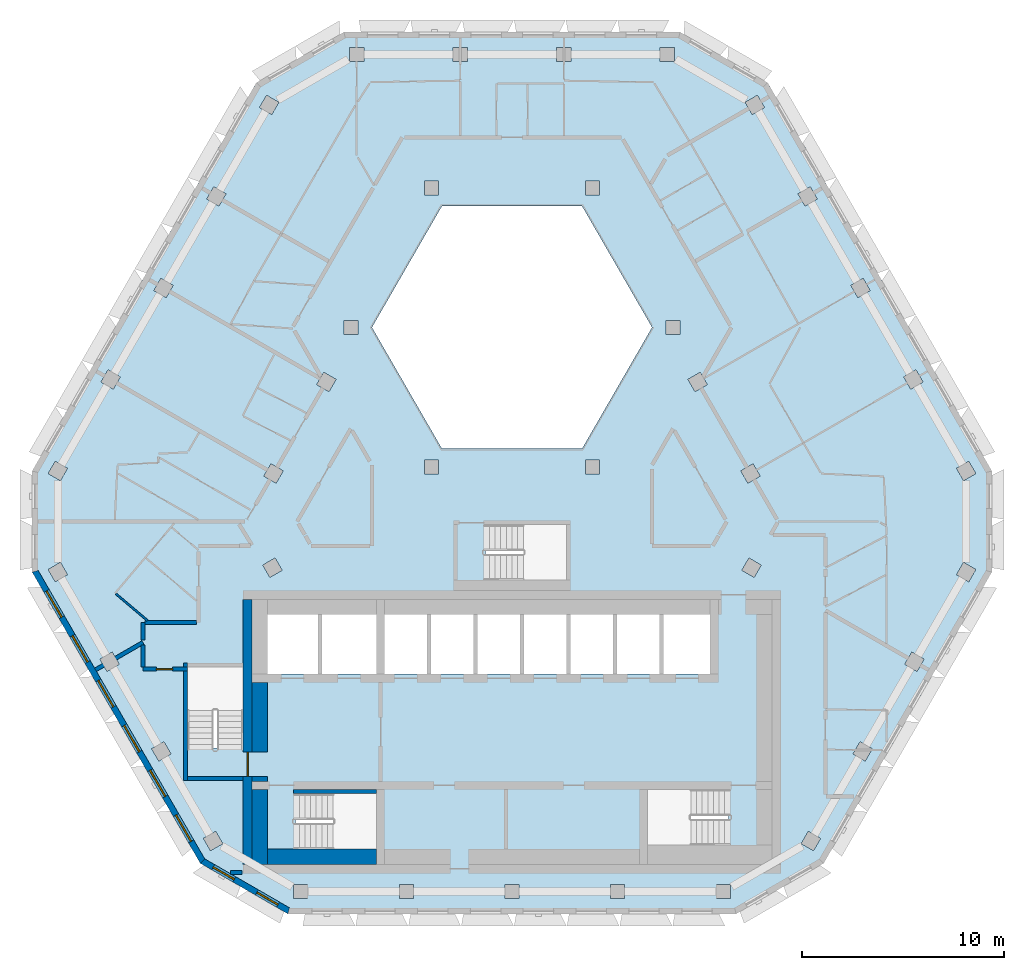
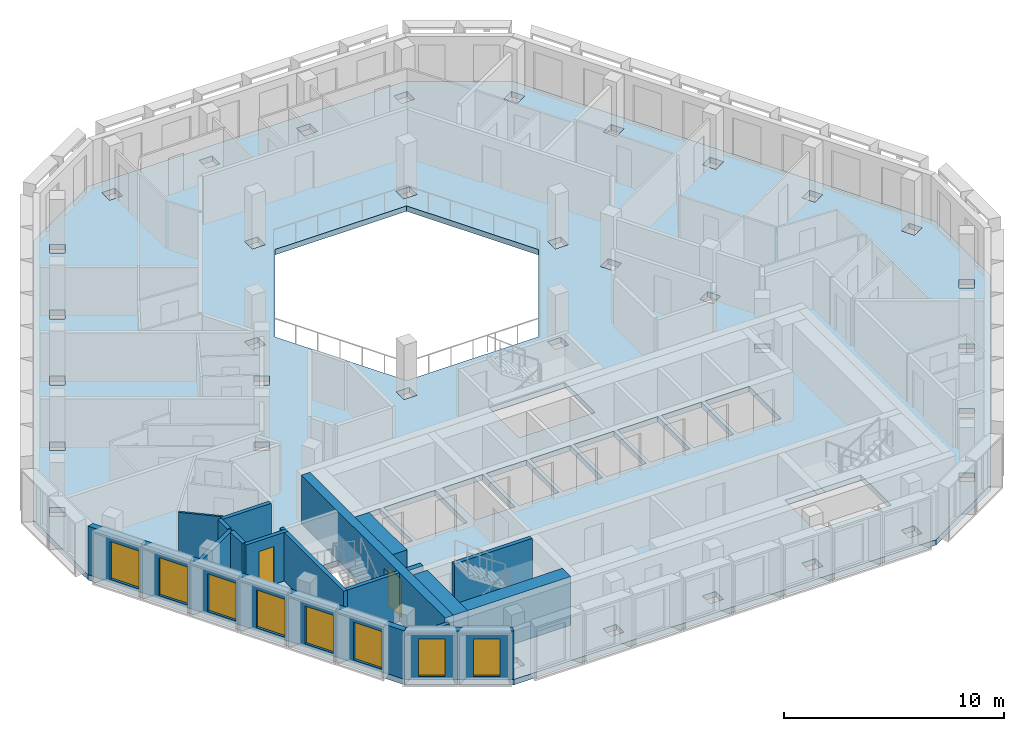
# One storey, part 2 of 16: 17 walls, 8 windows, 2 doors, 1 slab, 10 openings.
"""IFC4 building model written with IfcOpenShell, lengths in metres."""

from ifc_helpers import new_model, si_unit, direction, frame, frame_2d, origin, place, context, subcontext, project, spatial, polyline, rectangle, outline, extrude, material, layer, layer_set, type_object, element, fill, save


model = new_model("IFC4")

# Units and contexts
model_context = context("Model", 3, precision=1e-05, world=origin(), true_north=direction((0.0, 1.0)))
body_context = subcontext(model_context, "Body", "Model", "MODEL_VIEW")
ifc_project = project(units=[si_unit("LENGTHUNIT", "METRE"), si_unit("AREAUNIT", "SQUARE_METRE"), si_unit("VOLUMEUNIT", "CUBIC_METRE"), si_unit("PLANEANGLEUNIT", "RADIAN"), si_unit("MASSUNIT", "GRAM", prefix="KILO")], contexts=[model_context])

# Site, building, storey
site_placement = place(None, origin())
site = spatial("IfcSite", under=ifc_project, at=site_placement, CompositionType="ELEMENT")
building_placement = place(site_placement, origin())
building = spatial("IfcBuilding", under=site, at=building_placement, Name="Beryl Residences", CompositionType="ELEMENT")
storey_placement = place(building_placement, frame((0.0, 0.0, 208.800048828125)))
storey = spatial("IfcBuildingStorey", under=building, at=storey_placement, Name="L64", CompositionType="ELEMENT", Elevation=208.800048828125)

# Slab
ifc_material_1 = material(Name="Concrete C40/50", Category="concrete")
ifc_layer_1 = layer(ifc_material_1, 0.300048828125)
ifc_layer_set_1 = layer_set([ifc_layer_1], Name="SL7 PT floor slab 300 mm C40/50")
slab_type = type_object("IfcSlabType", Name="SL7 PT floor slab 300 mm C40/50", PredefinedType="FLOOR", material=ifc_layer_set_1)
slab_placement = place(storey_placement, frame((0.0, 0.0, -0.300048828125)))
element("IfcSlab", 1, at=slab_placement, inside=storey, type_object=slab_type, Name="L64 slab 1", PredefinedType="FLOOR", context=body_context, shape_type="SweptSolid", body=[
    extrude(outline(polyline([(23.72900390625, -4.10009765625), (15.4150390625, -18.5), (11.0849609375, -21.0), (-11.0849609375, -21.0), (-15.4150390625, -18.5), (-23.72900390625, -4.10009765625), (-23.72900390625, 0.89990234375), (-12.64404296875, 20.10009765625), (-8.31396484375, 22.60009765625), (8.31396484375, 22.60009765625), (12.64404296875, 20.10009765625), (23.72900390625, 0.89990234375), (23.72900390625, -4.10009765625)]), holes=[polyline([(21.97998046875, 1.028076171875), (22.330078125, 0.422119140625), (22.93603515625, 0.77197265625), (22.5859375, 1.3779296875), (21.97998046875, 1.028076171875)]), polyline([(21.97998046875, -4.22900390625), (22.5859375, -4.5791015625), (22.93603515625, -3.972900390625), (22.330078125, -3.623046875), (21.97998046875, -4.22900390625)]), polyline([(19.77099609375, -8.055908203125), (19.4208984375, -8.662109375), (20.027099609375, -9.011962890625), (20.376953125, -8.406005859375), (19.77099609375, -8.055908203125)]), polyline([(19.367919921875, 5.552978515625), (19.718017578125, 4.947021484375), (20.323974609375, 5.297119140625), (19.97412109375, 5.903076171875), (19.367919921875, 5.552978515625)]), polyline([(17.2109375, -12.489013671875), (16.861083984375, -13.094970703125), (17.467041015625, -13.445068359375), (17.81689453125, -12.839111328125), (17.2109375, -12.489013671875)]), polyline([(17.361083984375, 10.427978515625), (16.7548828125, 10.077880859375), (17.10498046875, 9.471923828125), (17.7109375, 9.822021484375), (17.361083984375, 10.427978515625)]), polyline([(15.258056640625, -17.27197265625), (14.652099609375, -16.922119140625), (14.302001953125, -17.528076171875), (14.907958984375, -17.8779296875), (15.258056640625, -17.27197265625)]), polyline([(14.14306640625, 14.60302734375), (14.492919921875, 13.9970703125), (15.09912109375, 14.346923828125), (14.7490234375, 14.952880859375), (14.14306640625, 14.60302734375)]), polyline([(11.531005859375, 19.1279296875), (11.881103515625, 18.52197265625), (12.487060546875, 18.8720703125), (12.136962890625, 19.47802734375), (11.531005859375, 19.1279296875)]), polyline([(11.717041015625, -3.406005859375), (11.366943359375, -4.011962890625), (11.972900390625, -4.362060546875), (12.322998046875, -3.756103515625), (11.717041015625, -3.406005859375)]), polyline([(11.919921875, 1.2529296875), (11.31396484375, 0.903076171875), (11.6640625, 0.297119140625), (12.27001953125, 0.64697265625), (11.919921875, 1.2529296875)]), polyline([(10.800048828125, -19.550048828125), (10.10009765625, -19.550048828125), (10.10009765625, -20.25), (10.800048828125, -20.25), (10.800048828125, -19.550048828125)]), polyline([(6.699951171875, -14.85009765625), (6.699951171875, -17.60009765625), (10.699951171875, -17.60009765625), (10.699951171875, -14.85009765625), (6.699951171875, -14.85009765625)]), polyline([(7.5, -9.14990234375), (9.800048828125, -9.14990234375), (9.800048828125, -6.199951171875), (7.5, -6.199951171875), (7.5, -9.14990234375)]), polyline([(8.700927734375, 5.427978515625), (9.051025390625, 4.822021484375), (9.656982421875, 5.172119140625), (9.306884765625, 5.778076171875), (8.700927734375, 5.427978515625)]), polyline([(8.31689453125, 7.64990234375), (8.31689453125, 8.35009765625), (7.616943359375, 8.35009765625), (7.616943359375, 7.64990234375), (8.31689453125, 7.64990234375)]), polyline([(7.3291015625, 21.85009765625), (7.3291015625, 21.14990234375), (8.029052734375, 21.14990234375), (8.029052734375, 21.85009765625), (7.3291015625, 21.85009765625)]), polyline([(5.199951171875, -9.14990234375), (7.300048828125, -9.14990234375), (7.300048828125, -6.199951171875), (5.199951171875, -6.199951171875), (5.199951171875, -9.14990234375)]), polyline([(3.464111328125, 14.0), (-3.464111328125, 14.0), (-6.92822265625, 8.0), (-3.464111328125, 2.0), (3.464111328125, 2.0), (6.92822265625, 8.0), (3.464111328125, 14.0)]), polyline([(4.875, -19.550048828125), (4.875, -20.25), (5.574951171875, -20.25), (5.574951171875, -19.550048828125), (4.875, -19.550048828125)]), polyline([(2.89990234375, -9.14990234375), (5.0, -9.14990234375), (5.0, -6.199951171875), (2.89990234375, -6.199951171875), (2.89990234375, -9.14990234375)]), polyline([(4.333984375, 15.25), (3.634033203125, 15.25), (3.634033203125, 14.550048828125), (4.333984375, 14.550048828125), (4.333984375, 15.25)]), polyline([(4.333984375, 1.449951171875), (3.634033203125, 1.449951171875), (3.634033203125, 0.75), (4.333984375, 0.75), (4.333984375, 1.449951171875)]), polyline([(2.2099609375, 21.85009765625), (2.2099609375, 21.14990234375), (2.909912109375, 21.14990234375), (2.909912109375, 21.85009765625), (2.2099609375, 21.85009765625)]), polyline([(2.699951171875, -9.14990234375), (2.699951171875, -6.199951171875), (0.60009765625, -6.199951171875), (0.60009765625, -9.14990234375), (2.699951171875, -9.14990234375)]), polyline([(2.699951171875, -4.5), (2.699951171875, -1.75), (-1.300048828125, -1.75), (-1.300048828125, -4.5), (2.699951171875, -4.5)]), polyline([(0.39990234375, -6.199951171875), (-1.699951171875, -6.199951171875), (-1.699951171875, -9.14990234375), (0.39990234375, -9.14990234375), (0.39990234375, -6.199951171875)]), polyline([(0.35009765625, -19.550048828125), (-0.35009765625, -19.550048828125), (-0.35009765625, -20.25), (0.35009765625, -20.25), (0.35009765625, -19.550048828125)]), polyline([(-4.0, -9.14990234375), (-1.89990234375, -9.14990234375), (-1.89990234375, -6.199951171875), (-4.0, -6.199951171875), (-4.0, -9.14990234375)]), polyline([(-2.908935546875, 21.14990234375), (-2.208984375, 21.14990234375), (-2.208984375, 21.85009765625), (-2.908935546875, 21.85009765625), (-2.908935546875, 21.14990234375)]), polyline([(-3.634033203125, 15.25), (-4.333984375, 15.25), (-4.333984375, 14.550048828125), (-3.634033203125, 14.550048828125), (-3.634033203125, 15.25)]), polyline([(-4.333984375, 1.449951171875), (-4.333984375, 0.75), (-3.634033203125, 0.75), (-3.634033203125, 1.449951171875), (-4.333984375, 1.449951171875)]), polyline([(-6.300048828125, -9.14990234375), (-4.199951171875, -9.14990234375), (-4.199951171875, -6.199951171875), (-6.300048828125, -6.199951171875), (-6.300048828125, -9.14990234375)]), polyline([(-4.875, -19.550048828125), (-5.574951171875, -19.550048828125), (-5.574951171875, -20.25), (-4.875, -20.25), (-4.875, -19.550048828125)]), polyline([(-9.39990234375, -6.199951171875), (-9.39990234375, -9.14990234375), (-6.699951171875, -9.14990234375), (-6.699951171875, -6.199951171875), (-9.39990234375, -6.199951171875)]), polyline([(-10.699951171875, -15.050048828125), (-10.699951171875, -17.800048828125), (-6.699951171875, -17.800048828125), (-6.699951171875, -15.050048828125), (-10.699951171875, -15.050048828125)]), polyline([(-8.028076171875, 21.14990234375), (-7.327880859375, 21.14990234375), (-7.327880859375, 21.85009765625), (-8.028076171875, 21.85009765625), (-8.028076171875, 21.14990234375)]), polyline([(-7.616943359375, 7.64990234375), (-7.616943359375, 8.35009765625), (-8.31689453125, 8.35009765625), (-8.31689453125, 7.64990234375), (-7.616943359375, 7.64990234375)]), polyline([(-9.051025390625, 4.822021484375), (-8.700927734375, 5.427978515625), (-9.306884765625, 5.778076171875), (-9.656982421875, 5.172119140625), (-9.051025390625, 4.822021484375)]), polyline([(-12.10009765625, -9.14990234375), (-9.60009765625, -9.14990234375), (-9.60009765625, -6.199951171875), (-12.10009765625, -6.199951171875), (-12.10009765625, -9.14990234375)]), polyline([(-10.800048828125, -19.550048828125), (-10.800048828125, -20.25), (-10.10009765625, -20.25), (-10.10009765625, -19.550048828125), (-10.800048828125, -19.550048828125)]), polyline([(-12.27001953125, 0.64697265625), (-11.6640625, 0.297119140625), (-11.31396484375, 0.903076171875), (-11.919921875, 1.2529296875), (-12.27001953125, 0.64697265625)]), polyline([(-11.972900390625, -4.361083984375), (-11.366943359375, -4.010986328125), (-11.717041015625, -3.405029296875), (-12.322998046875, -3.7548828125), (-11.972900390625, -4.361083984375)]), polyline([(-12.487060546875, 18.8720703125), (-11.881103515625, 18.52197265625), (-11.531005859375, 19.1279296875), (-12.136962890625, 19.47802734375), (-12.487060546875, 18.8720703125)]), polyline([(-13.300048828125, -8.800048828125), (-16.050048828125, -8.800048828125), (-16.050048828125, -12.800048828125), (-13.300048828125, -12.800048828125), (-13.300048828125, -8.800048828125)]), polyline([(-14.14306640625, 14.60302734375), (-14.7490234375, 14.952880859375), (-15.09912109375, 14.346923828125), (-14.492919921875, 13.9970703125), (-14.14306640625, 14.60302734375)]), polyline([(-14.302978515625, -17.527099609375), (-14.653076171875, -16.9208984375), (-15.259033203125, -17.27099609375), (-14.908935546875, -17.876953125), (-14.302978515625, -17.527099609375)]), polyline([(-17.10498046875, 9.471923828125), (-16.7548828125, 10.077880859375), (-17.361083984375, 10.427978515625), (-17.7109375, 9.822021484375), (-17.10498046875, 9.471923828125)]), polyline([(-17.2119140625, -12.488037109375), (-17.818115234375, -12.837890625), (-17.468017578125, -13.444091796875), (-16.862060546875, -13.093994140625), (-17.2119140625, -12.488037109375)]), polyline([(-19.718017578125, 4.947021484375), (-19.367919921875, 5.552978515625), (-19.97412109375, 5.903076171875), (-20.323974609375, 5.297119140625), (-19.718017578125, 4.947021484375)]), polyline([(-19.4208984375, -8.660888671875), (-19.77099609375, -8.054931640625), (-20.376953125, -8.405029296875), (-20.027099609375, -9.010986328125), (-19.4208984375, -8.660888671875)]), polyline([(-22.330078125, 0.422119140625), (-21.97998046875, 1.028076171875), (-22.5859375, 1.3779296875), (-22.93603515625, 0.77197265625), (-22.330078125, 0.422119140625)]), polyline([(-21.98095703125, -4.22802734375), (-22.3310546875, -3.6220703125), (-22.93701171875, -3.971923828125), (-22.5869140625, -4.577880859375), (-21.98095703125, -4.22802734375)])]), origin(), (0.0, 0.0, 1.0), 0.300048828125),
])

# Wall, openings, windows
ifc_material_2 = material(Name="Composite metal panel with mineral wool insulation")
ifc_layer_2 = layer(ifc_material_2, 0.300048828125)
ifc_layer_set_2 = layer_set([ifc_layer_2], Name="ES1 pale metal composite panel wall 300 mm")
wall_type_1 = type_object("IfcWallType", Name="ES1 pale metal composite panel wall 300 mm", PredefinedType="SOLIDWALL", material=ifc_layer_set_2)
wall_1_placement = place(storey_placement, frame((-23.59912109375, -4.02490234375, 0.0), z_axis=(0.0, 0.0, 1.0), x_axis=(0.500012653391, -0.866018098222, 0.0)))
wall_1 = element("IfcWall", 2, at=wall_1_placement, inside=storey, type_object=wall_type_1, Name="ES1 external wall L64 SW", PredefinedType="SOLIDWALL", context=body_context, shape_type="SweptSolid", body=[
    extrude(outline(polyline([(0.0, -0.14990234375), (16.6279296875, -0.14990234375), (16.547607421875, 0.14990234375), (0.080322265625, 0.14990234375), (0.0, -0.14990234375)])), origin(), (0.0, 0.0, 1.0), 2.699951171875),
])
opening_1_placement = place(wall_1_placement, frame((1.1640625, 0.0, 0.14990234375)))
opening_1 = element("IfcOpeningElement", 3, at=opening_1_placement, cuts=wall_1, Name="Opening W1", PredefinedType="OPENING", context=body_context, shape_type="SweptSolid", body=[
    extrude(rectangle(XDim=1.5, YDim=2.10009765625, at=frame_2d((0.75, 1.050048828125))), frame((0.0, 0.159912109375, 0.0), z_axis=(0.0, -1.0, 0.0), x_axis=(1.0, 0.0, 0.0)), (0.0, 0.0, 1.0), 0.320068359375),
])
opening_2_placement = place(wall_1_placement, frame((3.72412109375, 0.0, 0.14990234375)))
opening_2 = element("IfcOpeningElement", 4, at=opening_2_placement, cuts=wall_1, Name="Opening W1", PredefinedType="OPENING", context=body_context, shape_type="SweptSolid", body=[
    extrude(rectangle(XDim=1.5, YDim=2.10009765625, at=frame_2d((0.75, 1.050048828125))), frame((0.0, 0.159912109375, 0.0), z_axis=(0.0, -1.0, 0.0), x_axis=(1.0, 0.0, 0.0)), (0.0, 0.0, 1.0), 0.320068359375),
])
opening_3_placement = place(wall_1_placement, frame((6.282958984375, 0.0, 0.14990234375)))
opening_3 = element("IfcOpeningElement", 5, at=opening_3_placement, cuts=wall_1, Name="Opening W1", PredefinedType="OPENING", context=body_context, shape_type="SweptSolid", body=[
    extrude(rectangle(XDim=1.5, YDim=2.10009765625, at=frame_2d((0.75, 1.050048828125))), frame((0.0, 0.159912109375, 0.0), z_axis=(0.0, -1.0, 0.0), x_axis=(1.0, 0.0, 0.0)), (0.0, 0.0, 1.0), 0.320068359375),
])
opening_4_placement = place(wall_1_placement, frame((8.843017578125, 0.0, 0.14990234375)))
opening_4 = element("IfcOpeningElement", 6, at=opening_4_placement, cuts=wall_1, Name="Opening W1", PredefinedType="OPENING", context=body_context, shape_type="SweptSolid", body=[
    extrude(rectangle(XDim=1.5, YDim=2.10009765625, at=frame_2d((0.75, 1.050048828125))), frame((0.0, 0.159912109375, 0.0), z_axis=(0.0, -1.0, 0.0), x_axis=(1.0, 0.0, 0.0)), (0.0, 0.0, 1.0), 0.320068359375),
])
opening_5_placement = place(wall_1_placement, frame((11.403076171875, 0.0, 0.14990234375)))
opening_5 = element("IfcOpeningElement", 7, at=opening_5_placement, cuts=wall_1, Name="Opening W1", PredefinedType="OPENING", context=body_context, shape_type="SweptSolid", body=[
    extrude(rectangle(XDim=1.5, YDim=2.10009765625, at=frame_2d((0.75, 1.050048828125))), frame((0.0, 0.159912109375, 0.0), z_axis=(0.0, -1.0, 0.0), x_axis=(1.0, 0.0, 0.0)), (0.0, 0.0, 1.0), 0.320068359375),
])
opening_6_placement = place(wall_1_placement, frame((13.9619140625, 0.0, 0.14990234375)))
opening_6 = element("IfcOpeningElement", 8, at=opening_6_placement, cuts=wall_1, Name="Opening W1", PredefinedType="OPENING", context=body_context, shape_type="SweptSolid", body=[
    extrude(rectangle(XDim=1.5, YDim=2.10009765625, at=frame_2d((0.75, 1.050048828125))), frame((0.0, 0.159912109375, 0.0), z_axis=(0.0, -1.0, 0.0), x_axis=(1.0, 0.0, 0.0)), (0.0, 0.0, 1.0), 0.320068359375),
])
ifc_material_3 = material(Name="Aluminium and clear glass", Category="aluminium")
window_type_1 = type_object("IfcWindowType", Name="W1 cell window 1500 x 2100 mm", PartitioningType="SINGLE_PANEL", PredefinedType="WINDOW", material=ifc_material_3)
window_1_placement = place(opening_1_placement, origin())
window_1 = element("IfcWindow", 9, at=window_1_placement, inside=storey, type_object=window_type_1, Name="W1 window L64 SW 1", OverallHeight=2.10009765625, OverallWidth=1.5, PartitioningType="SINGLE_PANEL", PredefinedType="WINDOW", context=body_context, shape_type="SweptSolid", body=[
    extrude(rectangle(XDim=1.5, YDim=2.10009765625, at=frame_2d((0.75, 1.050048828125))), frame((0.0, 0.030029296875, 0.0), z_axis=(0.0, -1.0, 0.0), x_axis=(1.0, 0.0, 0.0)), (0.0, 0.0, 1.0), 0.06005859375),
])
fill(opening_1, window_1)
window_2_placement = place(opening_2_placement, origin())
window_2 = element("IfcWindow", 10, at=window_2_placement, inside=storey, type_object=window_type_1, Name="W1 window L64 SW 2", OverallHeight=2.10009765625, OverallWidth=1.5, PartitioningType="SINGLE_PANEL", PredefinedType="WINDOW", context=body_context, shape_type="SweptSolid", body=[
    extrude(rectangle(XDim=1.5, YDim=2.10009765625, at=frame_2d((0.75, 1.050048828125))), frame((0.0, 0.030029296875, 0.0), z_axis=(0.0, -1.0, 0.0), x_axis=(1.0, 0.0, 0.0)), (0.0, 0.0, 1.0), 0.06005859375),
])
fill(opening_2, window_2)
window_3_placement = place(opening_3_placement, origin())
window_3 = element("IfcWindow", 11, at=window_3_placement, inside=storey, type_object=window_type_1, Name="W1 window L64 SW 3", OverallHeight=2.10009765625, OverallWidth=1.5, PartitioningType="SINGLE_PANEL", PredefinedType="WINDOW", context=body_context, shape_type="SweptSolid", body=[
    extrude(rectangle(XDim=1.5, YDim=2.10009765625, at=frame_2d((0.75, 1.050048828125))), frame((0.0, 0.030029296875, 0.0), z_axis=(0.0, -1.0, 0.0), x_axis=(1.0, 0.0, 0.0)), (0.0, 0.0, 1.0), 0.06005859375),
])
fill(opening_3, window_3)
window_4_placement = place(opening_4_placement, origin())
window_4 = element("IfcWindow", 12, at=window_4_placement, inside=storey, type_object=window_type_1, Name="W1 window L64 SW 4", OverallHeight=2.10009765625, OverallWidth=1.5, PartitioningType="SINGLE_PANEL", PredefinedType="WINDOW", context=body_context, shape_type="SweptSolid", body=[
    extrude(rectangle(XDim=1.5, YDim=2.10009765625, at=frame_2d((0.75, 1.050048828125))), frame((0.0, 0.030029296875, 0.0), z_axis=(0.0, -1.0, 0.0), x_axis=(1.0, 0.0, 0.0)), (0.0, 0.0, 1.0), 0.06005859375),
])
fill(opening_4, window_4)
window_5_placement = place(opening_5_placement, origin())
window_5 = element("IfcWindow", 13, at=window_5_placement, inside=storey, type_object=window_type_1, Name="W1 window L64 SW 5", OverallHeight=2.10009765625, OverallWidth=1.5, PartitioningType="SINGLE_PANEL", PredefinedType="WINDOW", context=body_context, shape_type="SweptSolid", body=[
    extrude(rectangle(XDim=1.5, YDim=2.10009765625, at=frame_2d((0.75, 1.050048828125))), frame((0.0, 0.030029296875, 0.0), z_axis=(0.0, -1.0, 0.0), x_axis=(1.0, 0.0, 0.0)), (0.0, 0.0, 1.0), 0.06005859375),
])
fill(opening_5, window_5)
window_6_placement = place(opening_6_placement, origin())
window_6 = element("IfcWindow", 14, at=window_6_placement, inside=storey, type_object=window_type_1, Name="W1 window L64 SW 6", OverallHeight=2.10009765625, OverallWidth=1.5, PartitioningType="SINGLE_PANEL", PredefinedType="WINDOW", context=body_context, shape_type="SweptSolid", body=[
    extrude(rectangle(XDim=1.5, YDim=2.10009765625, at=frame_2d((0.75, 1.050048828125))), frame((0.0, 0.030029296875, 0.0), z_axis=(0.0, -1.0, 0.0), x_axis=(1.0, 0.0, 0.0)), (0.0, 0.0, 1.0), 0.06005859375),
])
fill(opening_6, window_6)

wall_2_placement = place(storey_placement, frame((-15.340087890625, -18.3701171875, 0.0), z_axis=(0.0, 0.0, 1.0), x_axis=(0.866022959057, -0.500004234368, 0.0)))
wall_2 = element("IfcWall", 15, at=wall_2_placement, inside=storey, type_object=wall_type_1, Name="ES1 external wall L64 SW-S", PredefinedType="SOLIDWALL", context=body_context, shape_type="SweptSolid", body=[
    extrude(outline(polyline([(0.0, -0.14990234375), (5.0, -0.14990234375), (4.919677734375, 0.14990234375), (0.080322265625, 0.14990234375), (0.0, -0.14990234375)])), origin(), (0.0, 0.0, 1.0), 2.699951171875),
])
opening_7_placement = place(wall_2_placement, frame((0.64990234375, 0.0, 0.14990234375)))
opening_7 = element("IfcOpeningElement", 16, at=opening_7_placement, cuts=wall_2, Name="Opening W2", PredefinedType="OPENING", context=body_context, shape_type="SweptSolid", body=[
    extrude(rectangle(XDim=1.199951171875, YDim=2.10009765625, at=frame_2d((0.60009765625, 1.050048828125))), frame((0.0, 0.159912109375, 0.0), z_axis=(0.0, -1.0, 0.0), x_axis=(1.0, 0.0, 0.0)), (0.0, 0.0, 1.0), 0.320068359375),
])
opening_8_placement = place(wall_2_placement, frame((3.14990234375, 0.0, 0.14990234375)))
opening_8 = element("IfcOpeningElement", 17, at=opening_8_placement, cuts=wall_2, Name="Opening W2", PredefinedType="OPENING", context=body_context, shape_type="SweptSolid", body=[
    extrude(rectangle(XDim=1.199951171875, YDim=2.10009765625, at=frame_2d((0.60009765625, 1.050048828125))), frame((0.0, 0.159912109375, 0.0), z_axis=(0.0, -1.0, 0.0), x_axis=(1.0, 0.0, 0.0)), (0.0, 0.0, 1.0), 0.320068359375),
])
ifc_material_4 = material(Name="Aluminium and clear glass", Category="aluminium")
window_type_2 = type_object("IfcWindowType", Name="W2 chamfer window 1200 x 2100 mm", PartitioningType="SINGLE_PANEL", PredefinedType="WINDOW", material=ifc_material_4)
window_7_placement = place(opening_7_placement, origin())
window_7 = element("IfcWindow", 18, at=window_7_placement, inside=storey, type_object=window_type_2, Name="W2 window L64 SW-S 1", OverallHeight=2.10009765625, OverallWidth=1.199951171875, PartitioningType="SINGLE_PANEL", PredefinedType="WINDOW", context=body_context, shape_type="SweptSolid", body=[
    extrude(rectangle(XDim=1.199951171875, YDim=2.10009765625, at=frame_2d((0.60009765625, 1.050048828125))), frame((0.0, 0.030029296875, 0.0), z_axis=(0.0, -1.0, 0.0), x_axis=(1.0, 0.0, 0.0)), (0.0, 0.0, 1.0), 0.06005859375),
])
fill(opening_7, window_7)
window_8_placement = place(opening_8_placement, origin())
window_8 = element("IfcWindow", 19, at=window_8_placement, inside=storey, type_object=window_type_2, Name="W2 window L64 SW-S 2", OverallHeight=2.10009765625, OverallWidth=1.199951171875, PartitioningType="SINGLE_PANEL", PredefinedType="WINDOW", context=body_context, shape_type="SweptSolid", body=[
    extrude(rectangle(XDim=1.199951171875, YDim=2.10009765625, at=frame_2d((0.60009765625, 1.050048828125))), frame((0.0, 0.030029296875, 0.0), z_axis=(0.0, -1.0, 0.0), x_axis=(1.0, 0.0, 0.0)), (0.0, 0.0, 1.0), 0.06005859375),
])
fill(opening_8, window_8)

# Walls
ifc_material_5 = material(Name="Gypsum board partition on steel studs", Category="steel")
ifc_layer_3 = layer(ifc_material_5, 0.10009765625)
ifc_layer_set_3 = layer_set([ifc_layer_3], Name="PT1 partition 100 mm gypsum board on steel studs")
wall_type_2 = type_object("IfcWallType", Name="PT1 partition 100 mm gypsum board on steel studs", PredefinedType="PARTITIONING", material=ifc_layer_set_3)
wall_3_placement = place(storey_placement, frame((-19.5859375, -5.176025390625, 0.0), z_axis=(0.0, 0.0, 1.0), x_axis=(0.763435976882, -0.645883510551, 0.0)))
element("IfcWall", 20, at=wall_3_placement, inside=storey, type_object=wall_type_2, Name="Wall PT1 L64 024", PredefinedType="PARTITIONING", context=body_context, shape_type="SweptSolid", body=[
    extrude(rectangle(XDim=2.0498046875, YDim=0.10009765625, at=frame_2d((1.02490234375, 0.0))), origin(), (0.0, 0.0, 1.0), 2.699951171875),
])
ifc_material_6 = material(Name="Concrete masonry", Category="masonry")
ifc_layer_4 = layer(ifc_material_6, 0.25)
ifc_layer_set_4 = layer_set([ifc_layer_4], Name="PT13-250 lobby wall 250 mm")
wall_type_3 = type_object("IfcWallType", Name="PT13-250 lobby wall 250 mm", PredefinedType="PARTITIONING", material=ifc_layer_set_4)
wall_4_placement = place(storey_placement, frame((-12.85009765625, -14.324951171875, 0.0), z_axis=(0.0, 0.0, 1.0), x_axis=(1.0, 0.0, 0.0)))
element("IfcWall", 21, at=wall_4_placement, inside=storey, type_object=wall_type_3, Name="Lobby wall 05", PredefinedType="PARTITIONING", context=body_context, shape_type="SweptSolid", body=[
    extrude(rectangle(XDim=0.75, YDim=0.25, at=frame_2d((0.375, 0.0))), origin(), (0.0, 0.0, 1.0), 2.699951171875),
])
ifc_material_7 = material(Name="Concrete masonry", Category="masonry")
ifc_layer_5 = layer(ifc_material_7, 0.75)
ifc_layer_set_5 = layer_set([ifc_layer_5], Name="PT13-750 lobby wall 750 mm")
wall_type_4 = type_object("IfcWallType", Name="PT13-750 lobby wall 750 mm", PredefinedType="PARTITIONING", material=ifc_layer_set_5)
wall_5_placement = place(storey_placement, frame((-12.47509765625, -13.0, 0.0), z_axis=(0.0, 0.0, 1.0), x_axis=(0.0, 1.0, 0.0)))
element("IfcWall", 22, at=wall_5_placement, inside=storey, type_object=wall_type_4, Name="Lobby wall 06", PredefinedType="PARTITIONING", context=body_context, shape_type="SweptSolid", body=[
    extrude(rectangle(XDim=3.449951171875, YDim=0.75, at=frame_2d((1.72509765625, 0.0))), origin(), (0.0, 0.0, 1.0), 2.699951171875),
])
ifc_material_8 = material(Name="Acoustic double stud gypsum board wall")
ifc_layer_6 = layer(ifc_material_8, 0.199951171875)
ifc_layer_set_6 = layer_set([ifc_layer_6], Name="PT3 party wall 200 mm acoustic double stud")
wall_type_5 = type_object("IfcWallType", Name="PT3 party wall 200 mm acoustic double stud", PredefinedType="PARTITIONING", material=ifc_layer_set_6)
wall_6_placement = place(storey_placement, frame((-13.9150390625, -18.949951171875, 0.0), z_axis=(0.0, 0.0, 1.0), x_axis=(1.0, 0.0, 0.0)))
element("IfcWall", 23, at=wall_6_placement, inside=storey, type_object=wall_type_5, Name="Wall PT3 L64 008", PredefinedType="PARTITIONING", context=body_context, shape_type="SweptSolid", body=[
    extrude(rectangle(XDim=0.554931640625, YDim=0.199951171875, at=frame_2d((0.27734375, 0.0))), origin(), (0.0, 0.0, 1.0), 2.699951171875),
])
wall_7_placement = place(storey_placement, frame((-20.592041015625, -8.93310546875, 0.0), z_axis=(0.0, 0.0, 1.0), x_axis=(0.866045775131, 0.499964714133, 0.0)))
element("IfcWall", 24, at=wall_7_placement, inside=storey, type_object=wall_type_5, Name="Wall PT3 L64 013", PredefinedType="PARTITIONING", context=body_context, shape_type="SweptSolid", body=[
    extrude(rectangle(XDim=2.704345703125, YDim=0.199951171875, at=frame_2d((1.35205078125, 0.0))), origin(), (0.0, 0.0, 1.0), 2.699951171875),
])
ifc_material_9 = material(Name="Double stud gypsum board wall")
ifc_layer_7 = layer(ifc_material_9, 0.199951171875)
ifc_layer_set_7 = layer_set([ifc_layer_7], Name="PT4 corridor wall 200 mm double stud")
wall_type_6 = type_object("IfcWallType", Name="PT4 corridor wall 200 mm double stud", PredefinedType="PARTITIONING", material=ifc_layer_set_7)
wall_8_placement = place(storey_placement, frame((-18.25, -7.696044921875, 0.0), z_axis=(0.0, 0.0, 1.0), x_axis=(0.0, -1.0, 0.0)))
element("IfcWall", 25, at=wall_8_placement, inside=storey, type_object=wall_type_6, Name="Wall PT4 L64 008", PredefinedType="PARTITIONING", context=body_context, shape_type="SweptSolid", body=[
    extrude(rectangle(XDim=1.10302734375, YDim=0.199951171875, at=frame_2d((0.551513671875, 0.0))), origin(), (0.0, 0.0, 1.0), 2.699951171875),
])
wall_9_placement = place(storey_placement, frame((-18.14892578125, -6.60009765625, 0.0), z_axis=(0.0, 0.0, 1.0), x_axis=(1.0, 0.0, 0.0)))
element("IfcWall", 26, at=wall_9_placement, inside=storey, type_object=wall_type_6, Name="Wall PT4 L64 012", PredefinedType="PARTITIONING", context=body_context, shape_type="SweptSolid", body=[
    extrude(rectangle(XDim=2.5478515625, YDim=0.199951171875, at=frame_2d((1.27392578125, 0.0))), origin(), (0.0, 0.0, 1.0), 2.699951171875),
])

# Wall, opening, door
wall_10_placement = place(storey_placement, frame((-18.2490234375, -8.89990234375, 0.0), z_axis=(0.0, 0.0, 1.0), x_axis=(1.0, 0.0, 0.0)))
wall_10 = element("IfcWall", 27, at=wall_10_placement, inside=storey, type_object=wall_type_6, Name="Wall PT4 L64 013", PredefinedType="PARTITIONING", context=body_context, shape_type="SweptSolid", body=[
    extrude(rectangle(XDim=2.198974609375, YDim=0.199951171875, at=frame_2d((1.099609375, 0.0))), origin(), (0.0, 0.0, 1.0), 2.699951171875),
])
opening_9_placement = place(wall_10_placement, frame((0.6689453125, 0.0, 0.0)))
opening_9 = element("IfcOpeningElement", 28, at=opening_9_placement, cuts=wall_10, Name="Opening D1825", PredefinedType="OPENING", context=body_context, shape_type="SweptSolid", body=[
    extrude(rectangle(XDim=0.800048828125, YDim=2.10009765625, at=frame_2d((0.39990234375, 1.050048828125))), frame((0.0, 0.10986328125, 0.0), z_axis=(0.0, -1.0, 0.0), x_axis=(1.0, 0.0, 0.0)), (0.0, 0.0, 1.0), 0.219970703125),
])
ifc_material_10 = material(Name="Timber door leaf", Category="wood")
door_type_1 = type_object("IfcDoorType", Name="D3 bathroom door 800 x 2100 mm", OperationType="SINGLE_SWING_LEFT", PredefinedType="DOOR", material=ifc_material_10)
door_1_placement = place(opening_9_placement, origin())
door_1 = element("IfcDoor", 29, at=door_1_placement, inside=storey, type_object=door_type_1, Name="Door D1825 L64 001", OperationType="SINGLE_SWING_LEFT", OverallHeight=2.10009765625, OverallWidth=0.800048828125, PredefinedType="DOOR", context=body_context, shape_type="SweptSolid", body=[
    extrude(rectangle(XDim=0.800048828125, YDim=2.10009765625, at=frame_2d((0.39990234375, 1.050048828125))), frame((0.0, 0.02490234375, 0.0), z_axis=(0.0, -1.0, 0.0), x_axis=(1.0, 0.0, 0.0)), (0.0, 0.0, 1.0), 0.050048828125),
])
fill(opening_9, door_1)

# Walls
wall_11_placement = place(storey_placement, frame((-18.25, -7.465087890625, 0.0), z_axis=(0.0, 0.0, 1.0), x_axis=(0.0, 1.0, 0.0)))
element("IfcWall", 30, at=wall_11_placement, inside=storey, type_object=wall_type_6, Name="Wall PT4 L64 033", PredefinedType="PARTITIONING", context=body_context, shape_type="SweptSolid", body=[
    extrude(rectangle(XDim=0.864013671875, YDim=0.199951171875, at=frame_2d((0.43212890625, 0.0))), origin(), (0.0, 0.0, 1.0), 2.699951171875),
])
ifc_material_11 = material(Name="Concrete C40/50", Category="concrete")
ifc_layer_8 = layer(ifc_material_11, 0.199951171875)
ifc_layer_set_8 = layer_set([ifc_layer_8], Name="PT5 stair enclosure wall 200 mm reinforced concrete C40/50")
wall_type_7 = type_object("IfcWallType", Name="PT5 stair enclosure wall 200 mm reinforced concrete C40/50", PredefinedType="SOLIDWALL", material=ifc_layer_set_8)
wall_12_placement = place(storey_placement, frame((-16.14990234375, -14.39990234375, 0.0), z_axis=(0.0, 0.0, 1.0), x_axis=(0.0, 1.0, 0.0)))
element("IfcWall", 31, at=wall_12_placement, inside=storey, type_object=wall_type_7, Name="Stair wall 01", PredefinedType="SOLIDWALL", context=body_context, shape_type="SweptSolid", body=[
    extrude(rectangle(XDim=5.7998046875, YDim=0.199951171875, at=frame_2d((2.89990234375, 0.0))), origin(), (0.0, 0.0, 1.0), 2.699951171875),
])
wall_13_placement = place(storey_placement, frame((-16.050048828125, -14.300048828125, 0.0), z_axis=(0.0, 0.0, 1.0), x_axis=(1.0, 0.0, 0.0)))
element("IfcWall", 32, at=wall_13_placement, inside=storey, type_object=wall_type_7, Name="Stair wall 02", PredefinedType="SOLIDWALL", context=body_context, shape_type="SweptSolid", body=[
    extrude(rectangle(XDim=2.75, YDim=0.199951171875, at=frame_2d((1.375, 0.0))), origin(), (0.0, 0.0, 1.0), 2.699951171875),
])
wall_14_placement = place(storey_placement, frame((-10.800048828125, -14.949951171875, 0.0), z_axis=(0.0, 0.0, 1.0), x_axis=(1.0, 0.0, 0.0)))
element("IfcWall", 33, at=wall_14_placement, inside=storey, type_object=wall_type_7, Name="Stair wall 10", PredefinedType="SOLIDWALL", context=body_context, shape_type="SweptSolid", body=[
    extrude(rectangle(XDim=4.10009765625, YDim=0.199951171875, at=frame_2d((2.050048828125, 0.0))), origin(), (0.0, 0.0, 1.0), 2.699951171875),
])
ifc_material_12 = material(Name="Concrete C40/50", Category="concrete")
ifc_layer_9 = layer(ifc_material_12, 0.75)
ifc_layer_set_9 = layer_set([ifc_layer_9], Name="PT5-750 stair enclosure wall 750 mm")
wall_type_8 = type_object("IfcWallType", Name="PT5-750 stair enclosure wall 750 mm", PredefinedType="SOLIDWALL", material=ifc_layer_set_9)
wall_15_placement = place(storey_placement, frame((-12.47509765625, -18.550048828125, 0.0), z_axis=(0.0, 0.0, 1.0), x_axis=(0.0, 1.0, 0.0)))
element("IfcWall", 34, at=wall_15_placement, inside=storey, type_object=wall_type_8, Name="Stair wall 04", PredefinedType="SOLIDWALL", context=body_context, shape_type="SweptSolid", body=[
    extrude(rectangle(XDim=3.699951171875, YDim=0.75, at=frame_2d((1.85009765625, 0.0))), origin(), (0.0, 0.0, 1.0), 2.699951171875),
])
wall_16_placement = place(storey_placement, frame((-12.10009765625, -18.175048828125, 0.0), z_axis=(0.0, 0.0, 1.0), x_axis=(1.0, 0.0, 0.0)))
element("IfcWall", 35, at=wall_16_placement, inside=storey, type_object=wall_type_8, Name="Stair wall 08", PredefinedType="SOLIDWALL", context=body_context, shape_type="SweptSolid", body=[
    extrude(rectangle(XDim=5.400146484375, YDim=0.75, at=frame_2d((2.7001953125, 0.0))), origin(), (0.0, 0.0, 1.0), 2.699951171875),
])

# Wall, opening, door
ifc_material_13 = material(Name="Concrete C50/60", Category="concrete")
ifc_layer_10 = layer(ifc_material_13, 0.449951171875)
ifc_layer_set_10 = layer_set([ifc_layer_10], Name="SW5 core outer wall 450 mm C50/60")
wall_type_9 = type_object("IfcWallType", Name="SW5 core outer wall 450 mm C50/60", PredefinedType="SHEAR", material=ifc_layer_set_10)
wall_17_placement = place(storey_placement, frame((-13.074951171875, -18.550048828125, 0.0), z_axis=(0.0, 0.0, 1.0), x_axis=(0.0, 1.0, 0.0)))
wall_17 = element("IfcWall", 36, at=wall_17_placement, inside=storey, type_object=wall_type_9, Name="Core wall W L64", PredefinedType="SHEAR", context=body_context, shape_type="SweptSolid", body=[
    extrude(rectangle(XDim=13.10009765625, YDim=0.449951171875, at=frame_2d((6.550048828125, 0.0))), origin(), (0.0, 0.0, 1.0), 2.699951171875),
])
opening_10_placement = place(wall_17_placement, frame((4.35009765625, 0.0, 0.0)))
opening_10 = element("IfcOpeningElement", 37, at=opening_10_placement, cuts=wall_17, Name="Opening SD-2", PredefinedType="OPENING", context=body_context, shape_type="SweptSolid", body=[
    extrude(rectangle(XDim=1.199951171875, YDim=2.10009765625, at=frame_2d((0.60009765625, 1.050048828125))), frame((0.0, 0.23486328125, 0.0), z_axis=(0.0, -1.0, 0.0), x_axis=(1.0, 0.0, 0.0)), (0.0, 0.0, 1.0), 0.469970703125),
])
ifc_material_14 = material(Name="Steel door leaf in steel frame", Category="steel")
door_type_2 = type_object("IfcDoorType", Name="D4 stair door 1200 x 2100 mm", OperationType="SINGLE_SWING_LEFT", PredefinedType="DOOR", material=ifc_material_14)
door_2_placement = place(opening_10_placement, origin())
door_2 = element("IfcDoor", 38, at=door_2_placement, inside=storey, type_object=door_type_2, Name="Door SD-2 L64 001", OperationType="SINGLE_SWING_RIGHT", OverallHeight=2.10009765625, OverallWidth=1.199951171875, PredefinedType="DOOR", context=body_context, shape_type="SweptSolid", body=[
    extrude(rectangle(XDim=1.199951171875, YDim=2.10009765625, at=frame_2d((0.60009765625, 1.050048828125))), frame((0.0, 0.02490234375, 0.0), z_axis=(0.0, -1.0, 0.0), x_axis=(1.0, 0.0, 0.0)), (0.0, 0.0, 1.0), 0.050048828125),
])
fill(opening_10, door_2)

save(model, "model.ifc")
